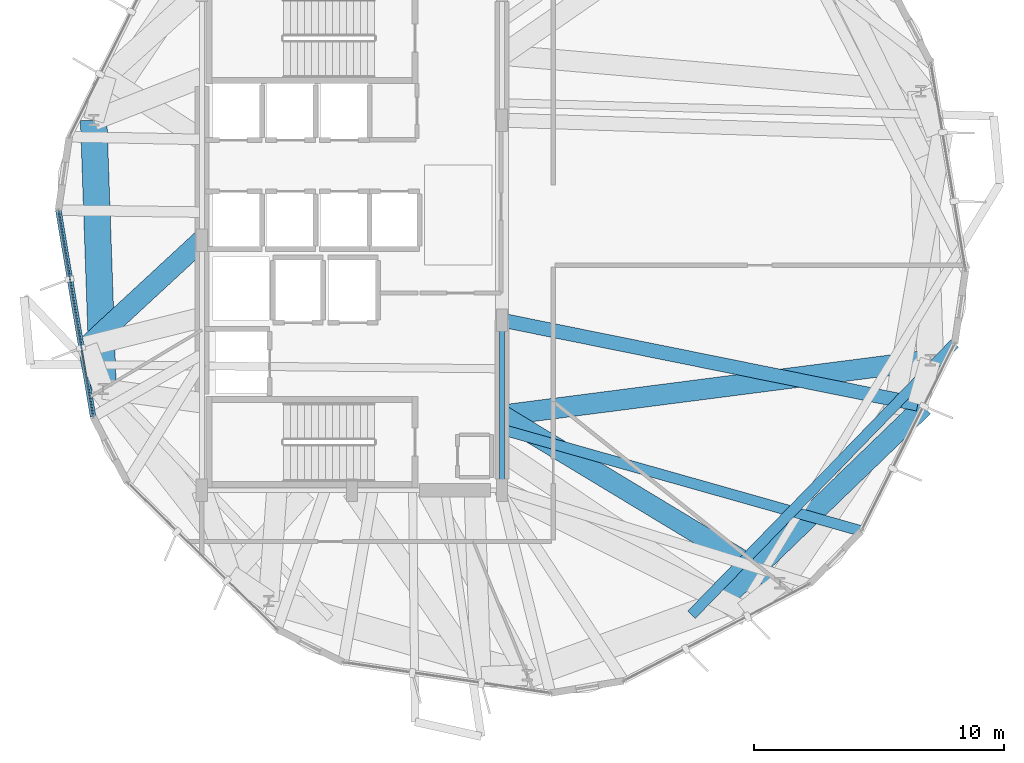
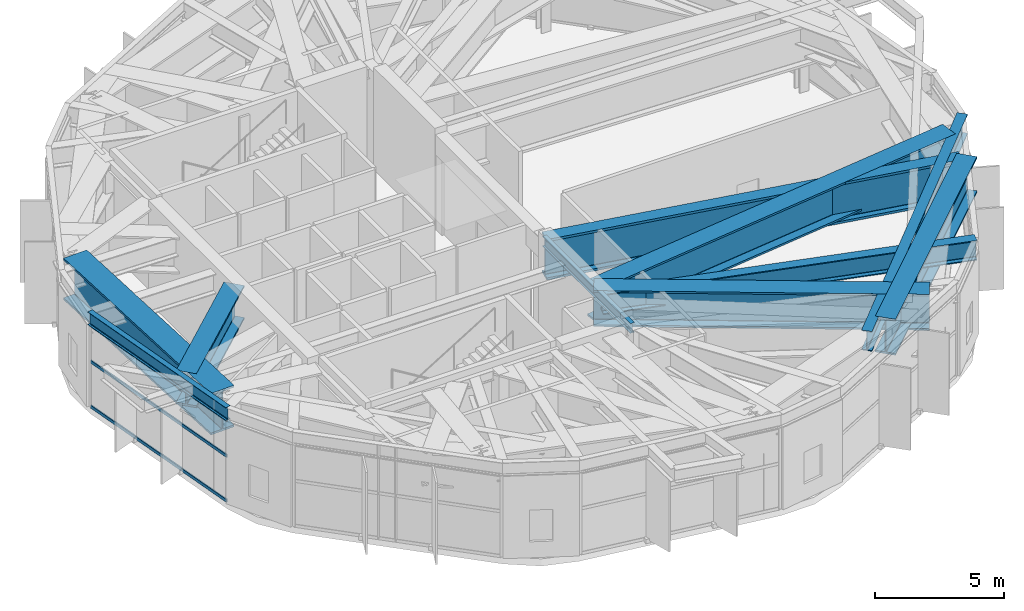
# One storey, part 9 of 27: 10 beams, 3 members, 1 element without a shape of its own.
"""IFC4 building model written with IfcOpenShell, lengths in metres."""

from ifc_helpers import new_model, si_unit, direction, frame, origin, origin_2d, place, context, subcontext, project, spatial, hollow_rectangle, i_section, extrude, material, layer, layer_set, material_profile, profile_set, type_object, element, aggregate, save


model = new_model("IFC4")

# Units and contexts
model_context = context("Model", 3, precision=1e-05, world=origin(), true_north=direction((0.0, 1.0)))
body_context = subcontext(model_context, "Body", "Model", "MODEL_VIEW")
ifc_project = project(units=[si_unit("LENGTHUNIT", "METRE"), si_unit("AREAUNIT", "SQUARE_METRE"), si_unit("VOLUMEUNIT", "CUBIC_METRE"), si_unit("PLANEANGLEUNIT", "RADIAN"), si_unit("MASSUNIT", "GRAM", prefix="KILO")], contexts=[model_context])

# Site, building, storey
site_placement = place(None, origin())
site = spatial("IfcSite", under=ifc_project, at=site_placement, CompositionType="ELEMENT")
building_placement = place(site_placement, origin())
building = spatial("IfcBuilding", under=site, at=building_placement, Name="Soratama Intermodal Tower", CompositionType="ELEMENT")
storey_placement = place(building_placement, frame((0.0, 0.0, 134.199951171875)))
storey = spatial("IfcBuildingStorey", under=building, at=storey_placement, Name="L32", CompositionType="ELEMENT", Elevation=134.199951171875)

# Beams
ifc_material_1 = material(Name="Structural steel ASTM A992 Grade 50", Category="steel")
ifc_material_profile_1 = material_profile(ifc_material_1, i_section(OverallWidth=0.19091796875, OverallDepth=0.4599609375, WebThickness=0.010009765625, FlangeThickness=0.01611328125, FilletRadius=0.010986328125, at=origin_2d()), Name="W18X55")
ifc_profile_set_1 = profile_set([ifc_material_profile_1], Name="Structural steel ASTM A992 Grade 50")
beam_type_1 = type_object("IfcBeamType", Name="BM-FLR-W18X55", PredefinedType="BEAM", material=ifc_profile_set_1)
beam_1_placement = place(storey_placement, frame((44.60009765625, 15.0, 4.27001953125), z_axis=(0.0, 1.0, 0.0), x_axis=(-1.0, 0.0, 0.0)))
element("IfcBeam", 1, at=beam_1_placement, inside=storey, type_object=beam_type_1, Name="BM-L32-CRING-03", PredefinedType="BEAM", context=body_context, shape_type="SweptSolid", body=[
    extrude(i_section(OverallWidth=0.19091796875, OverallDepth=0.4599609375, WebThickness=0.010009765625, FlangeThickness=0.01611328125, FilletRadius=0.010986328125, at=origin_2d()), origin(), (0.0, 0.0, 1.0), 6.800048828125),
])
ifc_material_2 = material(Name="Structural steel ASTM A992 Grade 50", Category="steel")
ifc_material_profile_2 = material_profile(ifc_material_2, i_section(OverallWidth=0.423095703125, OverallDepth=0.93896484375, WebThickness=0.02392578125, FlangeThickness=0.042724609375, FilletRadius=0.02392578125, at=origin_2d()), Name="W36X302")
ifc_profile_set_2 = profile_set([ifc_material_profile_2], Name="Structural steel ASTM A992 Grade 50")
beam_type_2 = type_object("IfcBeamType", Name="BM-POD-W36X302", PredefinedType="BEAM", material=ifc_profile_set_2)
beam_2_placement = place(storey_placement, frame((44.637939453125, 17.4189453125, 4.030517578125), z_axis=(0.96231966064, -0.271920706724, 0.0), x_axis=(0.271920706724, 0.96231966064, 0.0)))
element("IfcBeam", 2, at=beam_2_placement, inside=storey, type_object=beam_type_2, Name="BM-L32-TIE0-09", PredefinedType="BEAM", context=body_context, shape_type="SweptSolid", body=[
    extrude(i_section(OverallWidth=0.423095703125, OverallDepth=0.93896484375, WebThickness=0.02392578125, FlangeThickness=0.042724609375, FilletRadius=0.02392578125, at=origin_2d()), origin(), (0.0, 0.0, 1.0), 14.894287109375),
])
beam_3_placement = place(storey_placement, frame((52.176025390625, 10.02001953125, 4.030517578125), z_axis=(0.696439906773, 0.717615117075, 0.0), x_axis=(-0.717615117075, 0.696439906773, 0.0)))
element("IfcBeam", 3, at=beam_3_placement, inside=storey, type_object=beam_type_2, Name="BM-L32-TIE1-09", PredefinedType="BEAM", context=body_context, shape_type="SweptSolid", body=[
    extrude(i_section(OverallWidth=0.423095703125, OverallDepth=0.93896484375, WebThickness=0.02392578125, FlangeThickness=0.042724609375, FilletRadius=0.02392578125, at=origin_2d()), origin(), (0.0, 0.0, 1.0), 15.115234375),
])
ifc_material_3 = material(Name="Structural steel ASTM A992 Grade 50", Category="steel")
ifc_material_profile_3 = material_profile(ifc_material_3, i_section(OverallWidth=0.22900390625, OverallDepth=0.612060546875, WebThickness=0.011962890625, FlangeThickness=0.01953125, FilletRadius=0.012939453125, at=origin_2d()), Name="W24X84")
ifc_profile_set_3 = profile_set([ifc_material_profile_3], Name="Structural steel ASTM A992 Grade 50")
beam_type_3 = type_object("IfcBeamType", Name="BM-SPN-W24X84", PredefinedType="SPANDREL", material=ifc_profile_set_3)
beam_4_placement = place(storey_placement, frame((26.861083984375, 26.197998046875, 4.194091796875), z_axis=(0.165708153136, -0.986174836418, 0.0), x_axis=(0.986174836418, 0.165708153136, 0.0)))
element("IfcBeam", 4, at=beam_4_placement, inside=storey, type_object=beam_type_3, Name="BS-L32-F05", PredefinedType="SPANDREL", context=body_context, shape_type="SweptSolid", body=[
    extrude(i_section(OverallWidth=0.22900390625, OverallDepth=0.612060546875, WebThickness=0.011962890625, FlangeThickness=0.01953125, FilletRadius=0.012939453125, at=origin_2d()), origin(), (0.0, 0.0, 1.0), 8.375732421875),
])
ifc_material_4 = material(Name="Structural steel ASTM A992 Grade 50", Category="steel")
ifc_material_profile_4 = material_profile(ifc_material_4, i_section(OverallWidth=0.56005859375, OverallDepth=1.919921875, WebThickness=0.05810546875, FlangeThickness=0.110107421875, FilletRadius=0.02392578125, at=origin_2d()), Name="PG2150X720")
ifc_profile_set_4 = profile_set([ifc_material_profile_4], Name="Structural steel ASTM A992 Grade 50")
beam_type_4 = type_object("IfcBeamType", Name="BM-ZSTEP-LONG", PredefinedType="BEAM", material=ifc_profile_set_4)
beam_5_placement = place(storey_placement, frame((61.22607421875, 18.444091796875, 3.5400390625), z_axis=(-0.980230347688, 0.197859711591, 0.0), x_axis=(-0.197859711591, -0.980230347688, 0.0)))
element("IfcBeam", 5, at=beam_5_placement, inside=storey, type_object=beam_type_4, Name="BM-L32-ZSTEP-B10", PredefinedType="BEAM", context=body_context, shape_type="SweptSolid", body=[
    extrude(i_section(OverallWidth=0.56005859375, OverallDepth=1.919921875, WebThickness=0.05810546875, FlangeThickness=0.110107421875, FilletRadius=0.02392578125, at=origin_2d()), origin(), (0.0, 0.0, 1.0), 16.961181640625),
])
ifc_material_5 = material(Name="Structural steel ASTM A992 Grade 50", Category="steel")
ifc_material_profile_5 = material_profile(ifc_material_5, i_section(OverallWidth=0.820068359375, OverallDepth=1.699951171875, WebThickness=0.053955078125, FlangeThickness=0.087890625, FilletRadius=0.02392578125, at=origin_2d()), Name="PG1580X800")
ifc_profile_set_5 = profile_set([ifc_material_profile_5], Name="Structural steel ASTM A992 Grade 50")
beam_type_5 = type_object("IfcBeamType", Name="BM-ZSTEP-PG1580", PredefinedType="BEAM", material=ifc_profile_set_5)
beam_6_placement = place(storey_placement, frame((53.243896484375, 10.427001953125, 3.650146484375), z_axis=(0.719312607956, 0.694686527892, 0.0), x_axis=(-0.694686527892, 0.719312607956, 0.0)))
element("IfcBeam", 6, at=beam_6_placement, inside=storey, type_object=beam_type_5, Name="BM-L32-ZCHORD-10", PredefinedType="BEAM", context=body_context, shape_type="SweptSolid", body=[
    extrude(i_section(OverallWidth=0.820068359375, OverallDepth=1.699951171875, WebThickness=0.053955078125, FlangeThickness=0.087890625, FilletRadius=0.02392578125, at=origin_2d()), origin(), (0.0, 0.0, 1.0), 11.410888671875),
])
beam_7_placement = place(storey_placement, frame((44.60009765625, 18.0, 3.650146484375), z_axis=(0.855999120451, -0.516977277825, 0.0), x_axis=(0.516977277825, 0.855999120451, 0.0)))
element("IfcBeam", 7, at=beam_7_placement, inside=storey, type_object=beam_type_5, Name="BM-L32-RAD-09", PredefinedType="BEAM", context=body_context, shape_type="SweptSolid", body=[
    extrude(i_section(OverallWidth=0.820068359375, OverallDepth=1.699951171875, WebThickness=0.053955078125, FlangeThickness=0.087890625, FilletRadius=0.02392578125, at=origin_2d()), origin(), (0.0, 0.0, 1.0), 12.981201171875),
])
beam_8_placement = place(storey_placement, frame((44.60009765625, 18.0, 3.650146484375), z_axis=(0.991819723812, 0.12764652544, 0.0), x_axis=(-0.12764652544, 0.991819723812, 0.0)))
element("IfcBeam", 8, at=beam_8_placement, inside=storey, type_object=beam_type_5, Name="BM-L32-RAD-10", PredefinedType="BEAM", context=body_context, shape_type="SweptSolid", body=[
    extrude(i_section(OverallWidth=0.820068359375, OverallDepth=1.699951171875, WebThickness=0.053955078125, FlangeThickness=0.087890625, FilletRadius=0.02392578125, at=origin_2d()), origin(), (0.0, 0.0, 1.0), 17.267333984375),
])
ifc_material_6 = material(Name="Structural steel ASTM A992 Grade 50", Category="steel")
ifc_material_profile_6 = material_profile(ifc_material_6, i_section(OverallWidth=0.820068359375, OverallDepth=1.60205078125, WebThickness=0.055908203125, FlangeThickness=0.092041015625, FilletRadius=0.02392578125, at=origin_2d()), Name="PG1600X650")
ifc_profile_set_6 = profile_set([ifc_material_profile_6], Name="Structural steel ASTM A992 Grade 50")
beam_type_6 = type_object("IfcBeamType", Name="BM-ZSTEP-PG1600", PredefinedType="BEAM", material=ifc_profile_set_6)
beam_9_placement = place(storey_placement, frame((28.02001953125, 20.76611328125, 3.698974609375), z_axis=(0.734314034286, 0.678809913784, 0.0), x_axis=(-0.678809913784, 0.734314034286, 0.0)))
element("IfcBeam", 9, at=beam_9_placement, inside=storey, type_object=beam_type_6, Name="BM-L32-ZSTEP-B06", PredefinedType="BEAM", context=body_context, shape_type="SweptSolid", body=[
    extrude(i_section(OverallWidth=0.820068359375, OverallDepth=1.60205078125, WebThickness=0.055908203125, FlangeThickness=0.092041015625, FilletRadius=0.02392578125, at=origin_2d()), origin(), (0.0, 0.0, 1.0), 6.2373046875),
])
ifc_material_7 = material(Name="Structural steel ASTM A992 Grade 50", Category="steel")
ifc_material_profile_7 = material_profile(ifc_material_7, i_section(OverallWidth=1.06005859375, OverallDepth=1.9599609375, WebThickness=0.05810546875, FlangeThickness=0.095947265625, FilletRadius=0.02392578125, at=origin_2d()), Name="PG2400X900")
ifc_profile_set_7 = profile_set([ifc_material_profile_7], Name="Structural steel ASTM A992 Grade 50")
beam_type_7 = type_object("IfcBeamType", Name="BM-ZSTEP-PG2400", PredefinedType="BEAM", material=ifc_profile_set_7)
beam_10_placement = place(storey_placement, frame((28.27392578125, 29.7958984375, 3.52001953125), z_axis=(0.034872799059, -0.999391758964, 0.0), x_axis=(0.999391758964, 0.034872799059, 0.0)))
element("IfcBeam", 10, at=beam_10_placement, inside=storey, type_object=beam_type_7, Name="BM-L32-RING-05", PredefinedType="BEAM", context=body_context, shape_type="SweptSolid", body=[
    extrude(i_section(OverallWidth=1.06005859375, OverallDepth=1.9599609375, WebThickness=0.05810546875, FlangeThickness=0.095947265625, FilletRadius=0.02392578125, at=origin_2d()), origin(), (0.0, 0.0, 1.0), 10.75341796875),
])

# Curtain wall, members
ifc_material_8 = material(Name="Double-glazed aluminium curtain wall", Category="aluminium")
ifc_layer = layer(ifc_material_8, 0.159912109375)
ifc_layer_set = layer_set([ifc_layer], Name="Double-glazed aluminium curtain wall")
curtain_wall_type = type_object("IfcCurtainWallType", Name="CW-SYS-3", PredefinedType="NOTDEFINED", material=ifc_layer_set)
curtain_wall_placement = place(storey_placement, origin())
curtain_wall = element("IfcCurtainWall", 11, at=curtain_wall_placement, inside=storey, type_object=curtain_wall_type, Name="L32 Faceted Curtain Wall F05", PredefinedType="NOTDEFINED")
ifc_material_9 = material(Name="Anodised aluminium AA 6063-T6", Category="aluminium")
ifc_material_profile_8 = material_profile(ifc_material_9, hollow_rectangle(XDim=0.06494140625, YDim=0.14990234375, WallThickness=0.0048828125, InnerFilletRadius=0.0048828125, OuterFilletRadius=0.010009765625, at=origin_2d()), Name="CWT150X65X5")
ifc_profile_set_8 = profile_set([ifc_material_profile_8], Name="Anodised aluminium AA 6063-T6")
member_type = type_object("IfcMemberType", Name="TT-CWT-1", PredefinedType="USERDEFINED", material=ifc_profile_set_8)
member_1_placement = place(storey_placement, frame((26.870849609375, 26.13916015625, 0.030029296875), z_axis=(0.165741486099, -0.986169234861, 0.0), x_axis=(0.986169234861, 0.165741486099, 0.0)))
member_1 = element("IfcMember", 12, at=member_1_placement, type_object=member_type, Name="CW-3 transom 1.1", ObjectType="TRANSOM", PredefinedType="USERDEFINED", context=body_context, shape_type="SweptSolid", body=[
    extrude(hollow_rectangle(XDim=0.06494140625, YDim=0.14990234375, WallThickness=0.0048828125, InnerFilletRadius=0.0048828125, OuterFilletRadius=0.010009765625, at=origin_2d()), origin(), (0.0, 0.0, 1.0), 8.25634765625),
])
member_2_placement = place(storey_placement, frame((26.870849609375, 26.13916015625, 2.150146484375), z_axis=(0.165741486099, -0.986169234861, 0.0), x_axis=(0.986169234861, 0.165741486099, 0.0)))
member_2 = element("IfcMember", 13, at=member_2_placement, type_object=member_type, Name="CW-3 transom 1.2", ObjectType="TRANSOM", PredefinedType="USERDEFINED", context=body_context, shape_type="SweptSolid", body=[
    extrude(hollow_rectangle(XDim=0.06494140625, YDim=0.14990234375, WallThickness=0.0048828125, InnerFilletRadius=0.0048828125, OuterFilletRadius=0.010009765625, at=origin_2d()), origin(), (0.0, 0.0, 1.0), 8.25634765625),
])
member_3_placement = place(storey_placement, frame((26.870849609375, 26.13916015625, 3.84912109375), z_axis=(0.165741486099, -0.986169234861, 0.0), x_axis=(0.986169234861, 0.165741486099, 0.0)))
member_3 = element("IfcMember", 14, at=member_3_placement, type_object=member_type, Name="CW-3 transom 1.3", ObjectType="TRANSOM", PredefinedType="USERDEFINED", context=body_context, shape_type="SweptSolid", body=[
    extrude(hollow_rectangle(XDim=0.06494140625, YDim=0.14990234375, WallThickness=0.0048828125, InnerFilletRadius=0.0048828125, OuterFilletRadius=0.010009765625, at=origin_2d()), origin(), (0.0, 0.0, 1.0), 8.25634765625),
])
aggregate(curtain_wall, [member_1, member_2, member_3])

save(model, "model.ifc")
